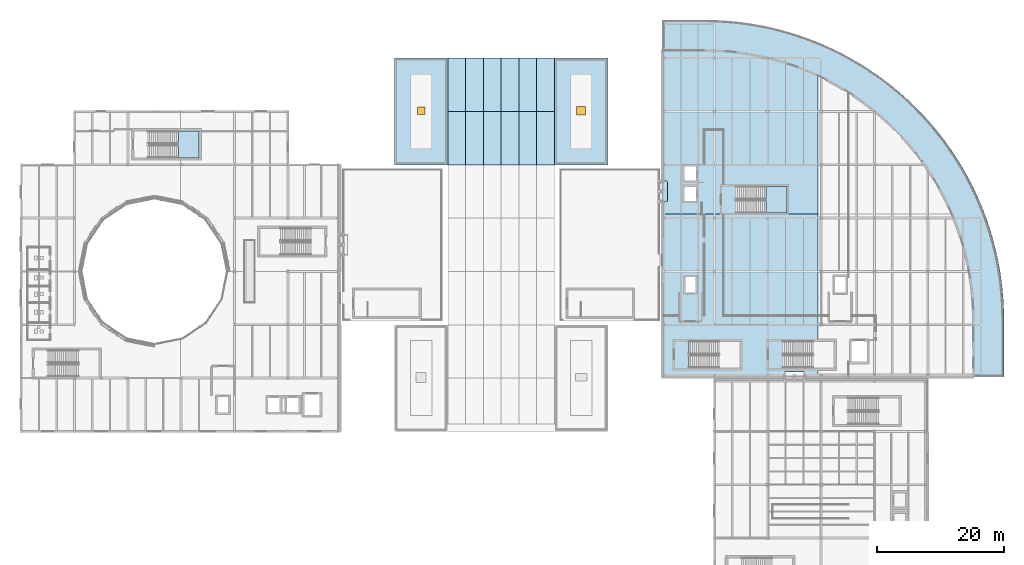
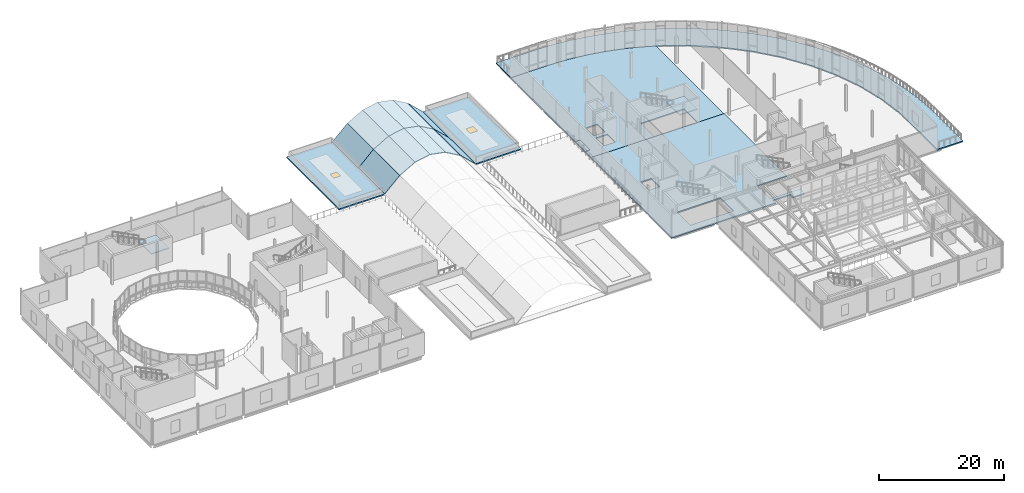
# One storey, part 62 of 91: 20 slabs, 2 windows, 2 openings, 2 elements without a shape of their own.
"""IFC4 building model written with IfcOpenShell, lengths in metres."""

from ifc_helpers import new_model, si_unit, direction, frame, origin, origin_2d, place, context, subcontext, project, spatial, polyline, rectangle, outline, extrude, material, layer, layer_set, type_object, element, fill, aggregate, save


model = new_model("IFC4")

# Units and contexts
model_context = context("Model", 3, precision=1e-05, world=origin(), true_north=direction((0.0, 1.0)))
body_context = subcontext(model_context, "Body", "Model", "MODEL_VIEW")
ifc_project = project(units=[si_unit("LENGTHUNIT", "METRE"), si_unit("AREAUNIT", "SQUARE_METRE"), si_unit("VOLUMEUNIT", "CUBIC_METRE"), si_unit("PLANEANGLEUNIT", "RADIAN"), si_unit("MASSUNIT", "GRAM", prefix="KILO"), si_unit("THERMODYNAMICTEMPERATUREUNIT", "KELVIN")], contexts=[model_context])

# Site, building, storey
site_placement = place(None, origin())
site = spatial("IfcSite", under=ifc_project, at=site_placement, CompositionType="ELEMENT")
building_placement = place(site_placement, origin())
building = spatial("IfcBuilding", under=site, at=building_placement, Name="Lustrewick Department Store", CompositionType="ELEMENT")
storey_placement = place(building_placement, frame((0.0, 0.0, 21.60009765625)))
storey = spatial("IfcBuildingStorey", under=building, at=storey_placement, Name="L05", CompositionType="ELEMENT", Elevation=21.60009765625)

# Slabs
ifc_material_1 = material(Name="Concrete C30", Category="concrete")
ifc_layer_1 = layer(ifc_material_1, 0.22998046875, Name="Concrete C30")
ifc_layer_set_1 = layer_set([ifc_layer_1], Name="Concrete C30")
slab_type_1 = type_object("IfcSlabType", Name="FS05", PredefinedType="FLOOR", material=ifc_layer_set_1)
slab_1_placement = place(storey_placement, frame((0.0, 0.0, -0.22998046875)))
element("IfcSlab", 1, at=slab_1_placement, inside=storey, type_object=slab_type_1, Name="L05 V4 Floor Slab FS05", PredefinedType="FLOOR", context=body_context, shape_type="SweptSolid", body=[
    extrude(outline(polyline([(109.35009765625, 50.550048828125), (128.594970703125, 50.550048828125), (128.594970703125, 51.43505859375), (131.804931640625, 51.43505859375), (131.804931640625, 50.550048828125), (133.875, 50.550048828125), (133.875, 52.0), (128.419921875, 52.0), (128.419921875, 56.199951171875), (133.875, 56.199951171875), (133.875, 76.27490234375), (109.35009765625, 76.27490234375), (109.35009765625, 50.550048828125)]), holes=[polyline([(113.6201171875, 52.0), (113.6201171875, 56.199951171875), (121.60009765625, 56.199951171875), (121.60009765625, 52.0), (113.6201171875, 52.0)]), polyline([(112.85009765625, 63.75), (112.85009765625, 66.449951171875), (114.75, 66.449951171875), (114.75, 63.75), (112.85009765625, 63.75)])]), origin(), (0.0, 0.0, 1.0), 0.22998046875),
])
slab_2_placement = place(storey_placement, frame((0.0, 0.0, -0.22998046875)))
element("IfcSlab", 2, at=slab_2_placement, inside=storey, type_object=slab_type_1, Name="L05 V4 Floor Slab FS05", PredefinedType="FLOOR", context=body_context, shape_type="SweptSolid", body=[
    extrude(outline(polyline([(109.35009765625, 76.27490234375), (133.875, 76.27490234375), (133.875, 98.04541015625), (133.751220703125, 98.105224609375), (132.225830078125, 98.7724609375), (130.67529296875, 99.37939453125), (129.102294921875, 99.9248046875), (127.509033203125, 100.408203125), (125.898193359375, 100.82861328125), (124.271728515625, 101.185302734375), (122.6328125, 101.47802734375), (120.983642578125, 101.7060546875), (119.32666015625, 101.869384765625), (117.66455078125, 101.96728515625), (116.0, 102.0), (109.35009765625, 102.0), (109.35009765625, 81.405029296875), (110.235107421875, 81.405029296875), (110.235107421875, 78.195068359375), (109.35009765625, 78.195068359375), (109.35009765625, 76.27490234375)]), holes=[polyline([(121.02001953125, 76.39990234375), (121.02001953125, 80.60009765625), (129.0, 80.60009765625), (129.0, 76.39990234375), (121.02001953125, 76.39990234375)]), polyline([(112.75, 78.14990234375), (112.75, 80.64990234375), (114.85009765625, 80.64990234375), (114.85009765625, 78.14990234375), (112.75, 78.14990234375)]), polyline([(112.75, 81.35009765625), (112.75, 83.85009765625), (114.85009765625, 83.85009765625), (114.85009765625, 81.35009765625), (112.75, 81.35009765625)])]), origin(), (0.0, 0.0, 1.0), 0.22998046875),
])
ifc_layer_2 = layer(ifc_material_1, 0.215087890625, Name="Concrete C30")
ifc_layer_set_2 = layer_set([ifc_layer_2], Name="Concrete C30")
slab_type_2 = type_object("IfcSlabType", Name="FS10", PredefinedType="FLOOR", material=ifc_layer_set_2)
slab_3_placement = place(storey_placement, frame((0.0, 0.0, -0.215087890625)))
element("IfcSlab", 3, at=slab_3_placement, inside=storey, type_object=slab_type_2, Name="L05 Skybridge SB24 Deck Slab", PredefinedType="FLOOR", context=body_context, shape_type="SweptSolid", body=[
    extrude(outline(polyline([(110.22998046875, 78.199951171875), (110.22998046875, 81.39990234375), (109.35498046875, 81.39990234375), (109.35498046875, 78.199951171875), (110.22998046875, 78.199951171875)])), origin(), (0.0, 0.0, 1.0), 0.215087890625),
])

# Stair, slab
stair_type = type_object("IfcStairType", Name="ST-H51", PredefinedType="HALF_TURN_STAIR", material=ifc_material_1)
stair_1_placement = place(storey_placement, origin())
stair_1 = element("IfcStair", 4, at=stair_1_placement, inside=storey, type_object=stair_type, Name="L05 Smoke-Proof Exit Stair ST03", PredefinedType="HALF_TURN_STAIR")
ifc_layer_3 = layer(ifc_material_1, 0.199951171875, Name="Concrete C30")
ifc_layer_set_3 = layer_set([ifc_layer_3], Name="Concrete C30")
slab_type_3 = type_object("IfcSlabType", Name="LS01", PredefinedType="LANDING", material=ifc_layer_set_3)
slab_4_placement = place(storey_placement, frame((0.0, 0.0, 2.349853515625)))
slab_4 = element("IfcSlab", 5, at=slab_4_placement, type_object=slab_type_3, Name="ST-H51 landing 1", PredefinedType="LANDING", context=body_context, shape_type="SweptSolid", body=[
    extrude(outline(polyline([(33.14990234375, 85.10009765625), (36.39990234375, 85.10009765625), (36.39990234375, 89.300048828125), (33.14990234375, 89.300048828125), (33.14990234375, 85.10009765625)])), origin(), (0.0, 0.0, 1.0), 0.199951171875),
])
aggregate(stair_1, [slab_4])

stair_2_placement = place(storey_placement, origin())
stair_2 = element("IfcStair", 6, at=stair_2_placement, inside=storey, type_object=stair_type, Name="L05 Smoke-Proof Exit Stair ST10", PredefinedType="HALF_TURN_STAIR")
slab_5_placement = place(storey_placement, frame((0.0, 0.0, 2.349853515625)))
slab_5 = element("IfcSlab", 7, at=slab_5_placement, type_object=slab_type_3, Name="ST-H51 landing 1", PredefinedType="LANDING", context=body_context, shape_type="SweptSolid", body=[
    extrude(outline(polyline([(125.75, 76.39990234375), (129.0, 76.39990234375), (129.0, 80.60009765625), (125.75, 80.60009765625), (125.75, 76.39990234375)])), origin(), (0.0, 0.0, 1.0), 0.199951171875),
])
aggregate(stair_2, [slab_5])

# Slab, opening, window
ifc_material_2 = material(Name="Concrete C35", Category="concrete")
ifc_layer_4 = layer(ifc_material_2, 0.248046875, Name="Concrete C35")
ifc_layer_set_4 = layer_set([ifc_layer_4], Name="Concrete C35")
slab_type_4 = type_object("IfcSlabType", Name="RS01", PredefinedType="ROOF", material=ifc_layer_set_4)
slab_6_placement = place(storey_placement, frame((0.0, 0.0, -0.248046875)))
slab_6 = element("IfcSlab", 8, at=slab_6_placement, inside=storey, type_object=slab_type_4, Name="L05 Flat Insulated Roof V2-N", PredefinedType="ROOF", context=body_context, shape_type="SweptSolid", body=[
    extrude(outline(polyline([(75.60009765625, 84.0), (75.60009765625, 100.800048828125), (67.199951171875, 100.800048828125), (67.199951171875, 84.0), (75.60009765625, 84.0)])), origin(), (0.0, 0.0, 1.0), 0.248046875),
])
opening_1_placement = place(slab_6_placement, frame((71.39990234375, 92.5078125, -0.010009765625)))
opening_1 = element("IfcOpeningElement", 9, at=opening_1_placement, cuts=slab_6, Name="Opening SK01", PredefinedType="OPENING", context=body_context, shape_type="SweptSolid", body=[
    extrude(rectangle(XDim=1.199951171875, YDim=1.199951171875, at=origin_2d()), origin(), (0.0, 0.0, 1.0), 0.26806640625),
])
ifc_material_3 = material(Name="Thermally broken Low-E triple-glazed skylight", Category="glass")
window_type_1 = type_object("IfcWindowType", Name="SK01", PartitioningType="SINGLE_PANEL", PredefinedType="SKYLIGHT", material=ifc_material_3)
window_1_placement = place(opening_1_placement, frame((0.0, 0.0, 0.2080078125)))
window_1 = element("IfcWindow", 10, at=window_1_placement, inside=storey, type_object=window_type_1, Name="L05 Roof Skylight SK01", OverallHeight=1.199951171875, OverallWidth=1.199951171875, PartitioningType="SINGLE_PANEL", PredefinedType="SKYLIGHT", context=body_context, shape_type="SweptSolid", body=[
    extrude(rectangle(XDim=1.199951171875, YDim=1.199951171875, at=origin_2d()), origin(), (0.0, 0.0, 1.0), 0.050048828125),
])
fill(opening_1, window_1)

slab_7_placement = place(storey_placement, frame((0.0, 0.0, -0.248046875)))
slab_7 = element("IfcSlab", 11, at=slab_7_placement, inside=storey, type_object=slab_type_4, Name="L05 Flat Insulated Roof V2-NE", PredefinedType="ROOF", context=body_context, shape_type="SweptSolid", body=[
    extrude(outline(polyline([(100.800048828125, 84.0), (100.800048828125, 100.800048828125), (92.39990234375, 100.800048828125), (92.39990234375, 84.0), (100.800048828125, 84.0)])), origin(), (0.0, 0.0, 1.0), 0.248046875),
])
opening_2_placement = place(slab_7_placement, frame((96.60009765625, 92.5078125, -0.010009765625)))
opening_2 = element("IfcOpeningElement", 12, at=opening_2_placement, cuts=slab_7, Name="Opening SK02", PredefinedType="OPENING", context=body_context, shape_type="SweptSolid", body=[
    extrude(rectangle(XDim=1.39990234375, YDim=1.39990234375, at=origin_2d()), origin(), (0.0, 0.0, 1.0), 0.26806640625),
])
window_type_2 = type_object("IfcWindowType", Name="SK02", PartitioningType="SINGLE_PANEL", PredefinedType="SKYLIGHT", material=ifc_material_3)
window_2_placement = place(opening_2_placement, frame((0.0, 0.0, 0.2080078125)))
window_2 = element("IfcWindow", 13, at=window_2_placement, inside=storey, type_object=window_type_2, Name="L05 Roof Skylight SK02", OverallHeight=1.39990234375, OverallWidth=1.39990234375, PartitioningType="SINGLE_PANEL", PredefinedType="SKYLIGHT", context=body_context, shape_type="SweptSolid", body=[
    extrude(rectangle(XDim=1.39990234375, YDim=1.39990234375, at=origin_2d()), origin(), (0.0, 0.0, 1.0), 0.050048828125),
])
fill(opening_2, window_2)

# Slabs
ifc_material_4 = material(Name="Low-E laminated safety glass", Category="glass")
ifc_layer_5 = layer(ifc_material_4, 0.1298828125, Name="Low-E laminated safety glass")
ifc_layer_set_5 = layer_set([ifc_layer_5], Name="Low-E laminated safety glass")
slab_type_5 = type_object("IfcSlabType", Name="RS04", PredefinedType="ROOF", material=ifc_layer_set_5)
slab_8_placement = place(storey_placement, frame((75.60009765625, 84.0, 0.0), z_axis=(-0.689658325851, 0.0, 0.724134927748), x_axis=(0.724134927748, 0.0, 0.689658325851)))
element("IfcSlab", 14, at=slab_8_placement, inside=storey, type_object=slab_type_5, Name="V2 Verriere Barrel Roof Facet 6.1", PredefinedType="ROOF", context=body_context, shape_type="SweptSolid", body=[
    extrude(outline(polyline([(0.0, 0.0), (3.866412984950454, 0.0), (3.866412984950454, 8.399902343750002), (0.0, 8.399902343750002), (0.0, 0.0)])), origin(), (0.0, 0.0, -1.0), 0.1298828125),
])
slab_9_placement = place(storey_placement, frame((78.39990234375, 84.0, 2.66650390625), z_axis=(-0.496155243458, 0.0, 0.868233824721), x_axis=(0.868233824721, 0.0, 0.496155243458)))
element("IfcSlab", 15, at=slab_9_placement, inside=storey, type_object=slab_type_5, Name="V2 Verriere Barrel Roof Facet 6.2", PredefinedType="ROOF", context=body_context, shape_type="SweptSolid", body=[
    extrude(outline(polyline([(0.0, 0.0), (3.224993945640973, 0.0), (3.224993945640973, 8.39990234375), (0.0, 8.39990234375), (0.0, 0.0)])), origin(), (0.0, 0.0, -1.0), 0.1298828125),
])
for number, where, z_axis, x_axis, name in (
    (16, (81.199951171875, 84.0, 4.2666015625), (-0.18706487702, 0.0, 0.982347561602), (0.982347561602, 0.0, 0.18706487702), "V2 Verriere Barrel Roof Facet 6.3"),
    (17, (84.0, 84.0, 4.7998046875), (0.18706487702, 0.0, 0.982347561602), (0.982347561602, 0.0, -0.18706487702), "V2 Verriere Barrel Roof Facet 6.4"),
):
    element("IfcSlab", number, at=place(storey_placement, frame(where, z_axis=z_axis, x_axis=x_axis)), inside=storey, type_object=slab_type_5, Name=name, PredefinedType="ROOF", context=body_context, shape_type="SweptSolid", body=[
        extrude(outline(polyline([(0.0, 0.0), (2.8503647156800747, 0.0), (2.8503647156800747, 8.399902343750002), (0.0, 8.399902343750002), (0.0, 0.0)])), origin(), (0.0, 0.0, -1.0), 0.1298828125),
    ])
slab_10_placement = place(storey_placement, frame((86.800048828125, 84.0, 4.2666015625), z_axis=(0.496155243458, 0.0, 0.868233824721), x_axis=(0.868233824721, 0.0, -0.496155243458)))
element("IfcSlab", 18, at=slab_10_placement, inside=storey, type_object=slab_type_5, Name="V2 Verriere Barrel Roof Facet 6.5", PredefinedType="ROOF", context=body_context, shape_type="SweptSolid", body=[
    extrude(outline(polyline([(0.0, 0.0), (3.224993945640973, 0.0), (3.224993945640973, 8.39990234375), (0.0, 8.39990234375), (0.0, 0.0)])), origin(), (0.0, 0.0, -1.0), 0.1298828125),
])
slab_11_placement = place(storey_placement, frame((89.60009765625, 84.0, 2.66650390625), z_axis=(0.689658325851, 0.0, 0.724134927748), x_axis=(0.724134927748, 0.0, -0.689658325851)))
element("IfcSlab", 19, at=slab_11_placement, inside=storey, type_object=slab_type_5, Name="V2 Verriere Barrel Roof Facet 6.6", PredefinedType="ROOF", context=body_context, shape_type="SweptSolid", body=[
    extrude(outline(polyline([(0.0, 0.0), (3.866412984950454, 0.0), (3.866412984950454, 8.399902343750002), (0.0, 8.399902343750002), (0.0, 0.0)])), origin(), (0.0, 0.0, -1.0), 0.1298828125),
])
slab_12_placement = place(storey_placement, frame((75.60009765625, 92.39990234375, 0.0), z_axis=(-0.689658325851, 0.0, 0.724134927748), x_axis=(0.724134927748, 0.0, 0.689658325851)))
element("IfcSlab", 20, at=slab_12_placement, inside=storey, type_object=slab_type_5, Name="V2 Verriere Barrel Roof Facet 7.1", PredefinedType="ROOF", context=body_context, shape_type="SweptSolid", body=[
    extrude(outline(polyline([(0.0, 0.0), (3.866412984950454, 0.0), (3.866412984950454, 8.400146484375), (0.0, 8.400146484375), (0.0, 0.0)])), origin(), (0.0, 0.0, -1.0), 0.1298828125),
])
slab_13_placement = place(storey_placement, frame((78.39990234375, 92.39990234375, 2.66650390625), z_axis=(-0.496155243458, 0.0, 0.868233824721), x_axis=(0.868233824721, 0.0, 0.496155243458)))
element("IfcSlab", 21, at=slab_13_placement, inside=storey, type_object=slab_type_5, Name="V2 Verriere Barrel Roof Facet 7.2", PredefinedType="ROOF", context=body_context, shape_type="SweptSolid", body=[
    extrude(outline(polyline([(0.0, 0.0), (3.224993945640973, 0.0), (3.224993945640973, 8.400146484375), (0.0, 8.400146484375), (0.0, 0.0)])), origin(), (0.0, 0.0, -1.0), 0.1298828125),
])
for number, where, z_axis, x_axis, name in (
    (22, (81.199951171875, 92.39990234375, 4.2666015625), (-0.18706487702, 0.0, 0.982347561602), (0.982347561602, 0.0, 0.18706487702), "V2 Verriere Barrel Roof Facet 7.3"),
    (23, (84.0, 92.39990234375, 4.7998046875), (0.18706487702, 0.0, 0.982347561602), (0.982347561602, 0.0, -0.18706487702), "V2 Verriere Barrel Roof Facet 7.4"),
):
    element("IfcSlab", number, at=place(storey_placement, frame(where, z_axis=z_axis, x_axis=x_axis)), inside=storey, type_object=slab_type_5, Name=name, PredefinedType="ROOF", context=body_context, shape_type="SweptSolid", body=[
        extrude(outline(polyline([(0.0, 0.0), (2.8503647156800747, 0.0), (2.8503647156800747, 8.400146484375002), (0.0, 8.400146484375002), (0.0, 0.0)])), origin(), (0.0, 0.0, -1.0), 0.1298828125),
    ])
slab_14_placement = place(storey_placement, frame((86.800048828125, 92.39990234375, 4.2666015625), z_axis=(0.496155243458, 0.0, 0.868233824721), x_axis=(0.868233824721, 0.0, -0.496155243458)))
element("IfcSlab", 24, at=slab_14_placement, inside=storey, type_object=slab_type_5, Name="V2 Verriere Barrel Roof Facet 7.5", PredefinedType="ROOF", context=body_context, shape_type="SweptSolid", body=[
    extrude(outline(polyline([(0.0, 0.0), (3.224993945640973, 0.0), (3.224993945640973, 8.400146484375), (0.0, 8.400146484375), (0.0, 0.0)])), origin(), (0.0, 0.0, -1.0), 0.1298828125),
])
slab_15_placement = place(storey_placement, frame((89.60009765625, 92.39990234375, 2.66650390625), z_axis=(0.689658325851, 0.0, 0.724134927748), x_axis=(0.724134927748, 0.0, -0.689658325851)))
element("IfcSlab", 25, at=slab_15_placement, inside=storey, type_object=slab_type_5, Name="V2 Verriere Barrel Roof Facet 7.6", PredefinedType="ROOF", context=body_context, shape_type="SweptSolid", body=[
    extrude(outline(polyline([(0.0, 0.0), (3.866412984950454, 0.0), (3.866412984950454, 8.400146484375), (0.0, 8.400146484375), (0.0, 0.0)])), origin(), (0.0, 0.0, -1.0), 0.1298828125),
])
ifc_layer_6 = layer(ifc_material_2, 0.2451171875, Name="Concrete C35")
ifc_layer_set_6 = layer_set([ifc_layer_6], Name="Concrete C35")
slab_type_6 = type_object("IfcSlabType", Name="TS01", PredefinedType="FLOOR", material=ifc_layer_set_6)
slab_16_placement = place(storey_placement, frame((0.0, 0.0, -0.2451171875)))
element("IfcSlab", 26, at=slab_16_placement, inside=storey, type_object=slab_type_6, Name="L05 V4 Stepped Planted Terrace TS01", PredefinedType="FLOOR", context=body_context, shape_type="SweptSolid", body=[
    extrude(outline(polyline([(109.35009765625, 106.800048828125), (109.35009765625, 102.0), (116.0, 102.0), (117.66455078125, 101.96728515625), (119.32666015625, 101.869384765625), (120.983642578125, 101.7060546875), (122.6328125, 101.47802734375), (124.271728515625, 101.185302734375), (125.898193359375, 100.82861328125), (127.509033203125, 100.408203125), (129.102294921875, 99.9248046875), (130.67529296875, 99.37939453125), (132.225830078125, 98.7724609375), (133.751220703125, 98.105224609375), (135.249267578125, 97.378662109375), (136.717529296875, 96.59375), (138.15380859375, 95.751953125), (139.55615234375, 94.854248046875), (140.922119140625, 93.90234375), (142.24951171875, 92.8974609375), (143.53662109375, 91.84130859375), (144.78125, 90.7353515625), (145.981201171875, 89.581298828125), (147.13525390625, 88.381103515625), (148.2412109375, 87.13671875), (149.29736328125, 85.849609375), (150.30224609375, 84.522216796875), (151.25439453125, 83.15625), (152.15185546875, 81.75390625), (152.993896484375, 80.3173828125), (153.77880859375, 78.84912109375), (154.50537109375, 77.351318359375), (155.172607421875, 75.82568359375), (155.779296875, 74.275390625), (156.32470703125, 72.702392578125), (156.80810546875, 71.109130859375), (157.228515625, 69.498046875), (157.585205078125, 67.871826171875), (157.8779296875, 66.23291015625), (158.106201171875, 64.58349609375), (158.269287109375, 62.9267578125), (158.3671875, 61.2646484375), (158.39990234375, 59.60009765625), (158.39990234375, 50.550048828125), (163.199951171875, 50.550048828125), (163.199951171875, 59.60009765625), (163.169921875, 61.28466796875), (163.07958984375, 62.96728515625), (162.9296875, 64.6455078125), (162.719482421875, 66.3173828125), (162.449951171875, 67.98046875), (162.121337890625, 69.633056640625), (161.73388671875, 71.27294921875), (161.2880859375, 72.897705078125), (160.78466796875, 74.505615234375), (160.22412109375, 76.0947265625), (159.607177734375, 77.66259765625), (158.9345703125, 79.20751953125), (158.20751953125, 80.7275390625), (157.426513671875, 82.220703125), (156.5927734375, 83.684814453125), (155.707275390625, 85.1181640625), (154.77099609375, 86.519287109375), (153.785400390625, 87.885986328125), (152.751953125, 89.216552734375), (151.67138671875, 90.509521484375), (150.54541015625, 91.762939453125), (149.37548828125, 92.975341796875), (148.162841796875, 94.1455078125), (146.909423828125, 95.271484375), (145.616455078125, 96.351806640625), (144.285888671875, 97.385498046875), (142.919189453125, 98.37109375), (141.518310546875, 99.30712890625), (140.084716796875, 100.192626953125), (138.62060546875, 101.0263671875), (137.12744140625, 101.807373046875), (135.607666015625, 102.53466796875), (134.062744140625, 103.20703125), (132.49462890625, 103.823974609375), (130.90576171875, 104.384521484375), (129.2978515625, 104.88818359375), (127.6728515625, 105.333740234375), (126.033203125, 105.72119140625), (124.380615234375, 106.050048828125), (122.71728515625, 106.319580078125), (121.04541015625, 106.529541015625), (119.3671875, 106.6796875), (117.684814453125, 106.77001953125), (116.0, 106.800048828125), (109.35009765625, 106.800048828125)])), origin(), (0.0, 0.0, 1.0), 0.2451171875),
])

save(model, "model.ifc")
